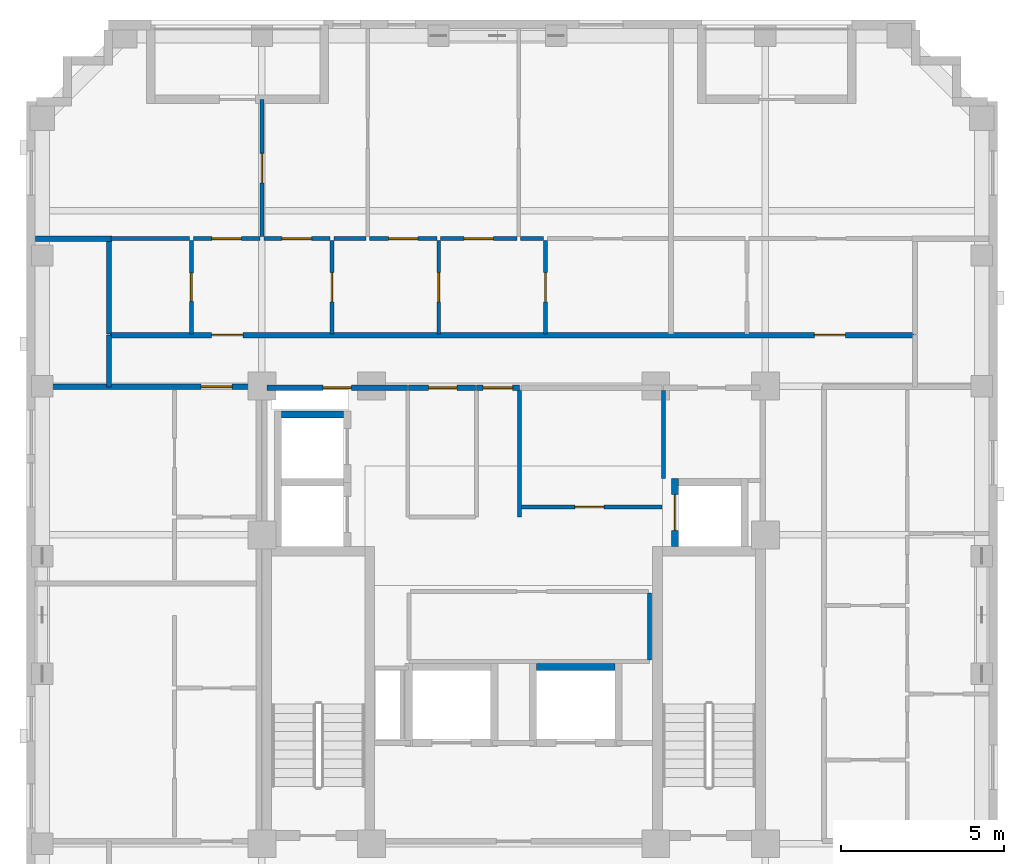
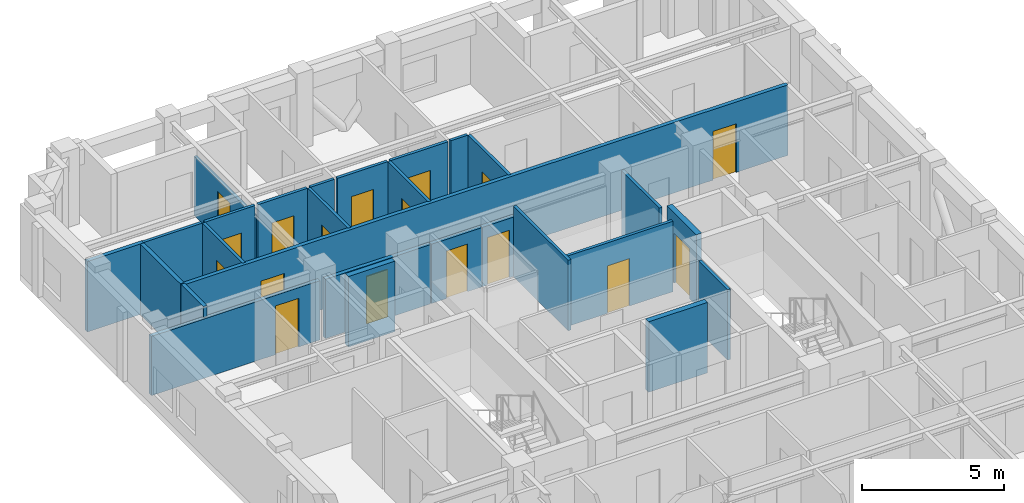
# One storey, part 5 of 10: 27 walls, 17 doors, 17 openings.
"""IFC4 building model written with IfcOpenShell, lengths in metres."""

from ifc_helpers import new_model, si_unit, derived_unit, direction, frame, frame_2d, origin, place, context, subcontext, project, spatial, rectangle, extrude, material, layer, layer_set, type_object, element, fill, save


model = new_model("IFC4")

# Units and contexts
model_context = context("Model", 3, precision=1e-05, world=origin(), true_north=direction((0.0, 1.0)))
body_context = subcontext(model_context, "Body", "Model", "MODEL_VIEW")
ifc_project = project(units=[si_unit("LENGTHUNIT", "METRE"), si_unit("AREAUNIT", "SQUARE_METRE"), si_unit("VOLUMEUNIT", "CUBIC_METRE"), si_unit("PLANEANGLEUNIT", "RADIAN"), si_unit("MASSUNIT", "GRAM", prefix="KILO"), derived_unit("THERMALTRANSMITTANCEUNIT", [(si_unit("MASSUNIT", "GRAM", prefix="KILO"), 1), (si_unit("TIMEUNIT", "SECOND"), -3), (si_unit("THERMODYNAMICTEMPERATUREUNIT", "KELVIN"), -1)])], contexts=[model_context])

# Site, building, storey
site_placement = place(None, origin())
site = spatial("IfcSite", under=ifc_project, at=site_placement, CompositionType="ELEMENT")
building_placement = place(site_placement, origin())
building = spatial("IfcBuilding", under=site, at=building_placement, Name="Korrvale Station Residences", CompositionType="ELEMENT")
storey_placement = place(building_placement, frame((0.0, 0.0, 204.10009765625)))
storey = spatial("IfcBuildingStorey", under=building, at=storey_placement, Name="L59", CompositionType="ELEMENT", Elevation=204.10009765625)

# Walls
ifc_material_1 = material(Name="Acoustic steel-stud gypsum board partition", Category="steel")
ifc_layer_1 = layer(ifc_material_1, 0.1201171875, Name="Acoustic steel-stud gypsum board partition")
ifc_layer_set_1 = layer_set([ifc_layer_1], Name="Acoustic steel-stud gypsum board partition")
wall_type_1 = type_object("IfcWallType", Name="WAL-PART-125", PredefinedType="PARTITIONING", material=ifc_layer_set_1)
wall_1_placement = place(storey_placement, frame((25.679931640625, 25.0, 0.0), z_axis=(0.0, 0.0, 1.0), x_axis=(0.0, 1.0, 0.0)))
element("IfcWall", 1, at=wall_1_placement, inside=storey, type_object=wall_type_1, Name="L59 Core Partition CW-PSG-E", PredefinedType="PARTITIONING", context=body_context, shape_type="SweptSolid", body=[
    extrude(rectangle(XDim=3.8701171875, YDim=0.1201171875, at=frame_2d((1.93505859375, 0.0))), origin(), (0.0, 0.0, 1.0), 3.039794921875),
])
wall_2_placement = place(storey_placement, frame((30.080078125, 26.179931640625, 0.0), z_axis=(0.0, 0.0, 1.0), x_axis=(0.0, 1.0, 0.0)))
element("IfcWall", 2, at=wall_2_placement, inside=storey, type_object=wall_type_1, Name="L59 Core Partition CW-CS-W", PredefinedType="PARTITIONING", context=body_context, shape_type="SweptSolid", body=[
    extrude(rectangle(XDim=2.68017578125, YDim=0.1201171875, at=frame_2d((1.340087890625, 0.0))), origin(), (0.0, 0.0, 1.0), 3.039794921875),
])

# Wall, opening, door
wall_3_placement = place(storey_placement, frame((25.719970703125, 25.300048828125, 0.0), z_axis=(0.0, 0.0, 1.0), x_axis=(1.0, 0.0, 0.0)))
wall_3 = element("IfcWall", 3, at=wall_3_placement, inside=storey, type_object=wall_type_1, Name="L59 Core Partition CW-FPLE-S", PredefinedType="PARTITIONING", context=body_context, shape_type="SweptSolid", body=[
    extrude(rectangle(XDim=4.320068359375, YDim=0.1201171875, at=frame_2d((2.16015625, 0.0))), origin(), (0.0, 0.0, 1.0), 3.039794921875),
])
opening_1_placement = place(wall_3_placement, frame((1.64990234375, 0.0, 0.0)))
opening_1 = element("IfcOpeningElement", 4, at=opening_1_placement, cuts=wall_3, Name="Opening DI-900", PredefinedType="OPENING", context=body_context, shape_type="SweptSolid", body=[
    extrude(rectangle(XDim=0.89990234375, YDim=2.050048828125, at=frame_2d((0.449951171875, 1.02490234375))), frame((0.0, 0.070068359375, 0.0), z_axis=(0.0, -1.0, 0.0), x_axis=(1.0, 0.0, 0.0)), (0.0, 0.0, 1.0), 0.14013671875),
])
ifc_material_2 = material(Name="Painted solid-core timber interior room door", Category="wood")
door_type_1 = type_object("IfcDoorType", Name="DR-INT-900", OperationType="NOTDEFINED", PredefinedType="DOOR", material=ifc_material_2)
door_1_placement = place(opening_1_placement, origin())
door_1 = element("IfcDoor", 5, at=door_1_placement, inside=storey, type_object=door_type_1, Name="L59 Housekeeping Linen Door", OperationType="SINGLE_SWING_LEFT", OverallHeight=2.050048828125, OverallWidth=0.89990234375, PredefinedType="DOOR", context=body_context, shape_type="SweptSolid", body=[
    extrude(rectangle(XDim=0.89990234375, YDim=2.050048828125, at=frame_2d((0.449951171875, 1.02490234375))), frame((0.0, 0.02490234375, 0.0), z_axis=(0.0, -1.0, 0.0), x_axis=(1.0, 0.0, 0.0)), (0.0, 0.0, 1.0), 0.050048828125),
])
fill(opening_1, door_1)

# Wall
wall_4_placement = place(storey_placement, frame((29.659912109375, 20.6201171875, 0.0), z_axis=(0.0, 0.0, 1.0), x_axis=(0.0, 1.0, 0.0)))
element("IfcWall", 6, at=wall_4_placement, inside=storey, type_object=wall_type_1, Name="L59 Core Partition CW-FPM-E", PredefinedType="PARTITIONING", context=body_context, shape_type="SweptSolid", body=[
    extrude(rectangle(XDim=2.059814453125, YDim=0.1201171875, at=frame_2d((1.02978515625, 0.0))), origin(), (0.0, 0.0, 1.0), 3.039794921875),
])

# Wall, opening, door
wall_5_placement = place(storey_placement, frame((15.639892578125, 30.60009765625, 0.0), z_axis=(0.0, 0.0, 1.0), x_axis=(0.0, 1.0, 0.0)))
wall_5 = element("IfcWall", 7, at=wall_5_placement, inside=storey, type_object=wall_type_1, Name="L59 Suite Partition U04-V01", PredefinedType="PARTITIONING", context=body_context, shape_type="SweptSolid", body=[
    extrude(rectangle(XDim=2.849853515625, YDim=0.1201171875, at=frame_2d((1.4248046875, 0.0))), origin(), (0.0, 0.0, 1.0), 3.039794921875),
])
opening_2_placement = place(wall_5_placement, frame((0.9951171875, 0.0, 0.0)))
opening_2 = element("IfcOpeningElement", 8, at=opening_2_placement, cuts=wall_5, Name="Opening DB-860", PredefinedType="OPENING", context=body_context, shape_type="SweptSolid", body=[
    extrude(rectangle(XDim=0.860107421875, YDim=2.050048828125, at=frame_2d((0.43017578125, 1.02490234375))), frame((0.0, 0.070068359375, 0.0), z_axis=(0.0, -1.0, 0.0), x_axis=(1.0, 0.0, 0.0)), (0.0, 0.0, 1.0), 0.14013671875),
])
ifc_material_3 = material(Name="Moisture-resistant solid-core bathroom door", Category="timber")
door_type_2 = type_object("IfcDoorType", Name="DR-BATH-860", OperationType="NOTDEFINED", PredefinedType="DOOR", material=ifc_material_3)
door_2_placement = place(opening_2_placement, origin())
door_2 = element("IfcDoor", 9, at=door_2_placement, inside=storey, type_object=door_type_2, Name="L59 Apartment 2BR L59-U04 Bathroom Door", OperationType="SINGLE_SWING_LEFT", OverallHeight=2.050048828125, OverallWidth=0.860107421875, PredefinedType="DOOR", context=body_context, shape_type="SweptSolid", body=[
    extrude(rectangle(XDim=0.860107421875, YDim=2.050048828125, at=frame_2d((0.43017578125, 1.02490234375))), frame((0.0, 0.02490234375, 0.0), z_axis=(0.0, -1.0, 0.0), x_axis=(1.0, 0.0, 0.0)), (0.0, 0.0, 1.0), 0.050048828125),
])
fill(opening_2, door_2)

# Wall
wall_6_placement = place(storey_placement, frame((13.179931640625, 33.510009765625, 0.0), z_axis=(0.0, 0.0, 1.0), x_axis=(1.0, 0.0, 0.0)))
element("IfcWall", 10, at=wall_6_placement, inside=storey, type_object=wall_type_1, Name="L59 Suite Partition U04-H05", PredefinedType="PARTITIONING", context=body_context, shape_type="SweptSolid", body=[
    extrude(rectangle(XDim=2.400146484375, YDim=0.1201171875, at=frame_2d((1.2001953125, 0.0))), origin(), (0.0, 0.0, 1.0), 3.039794921875),
])

# Wall, opening, door
wall_7_placement = place(storey_placement, frame((19.93994140625, 30.60009765625, 0.0), z_axis=(0.0, 0.0, 1.0), x_axis=(0.0, 1.0, 0.0)))
wall_7 = element("IfcWall", 11, at=wall_7_placement, inside=storey, type_object=wall_type_1, Name="L59 Suite Partition U04-V12", PredefinedType="PARTITIONING", context=body_context, shape_type="SweptSolid", body=[
    extrude(rectangle(XDim=2.849853515625, YDim=0.1201171875, at=frame_2d((1.4248046875, 0.0))), origin(), (0.0, 0.0, 1.0), 3.039794921875),
])
opening_3_placement = place(wall_7_placement, frame((0.97509765625, 0.0, 0.0)))
opening_3 = element("IfcOpeningElement", 12, at=opening_3_placement, cuts=wall_7, Name="Opening DI-900", PredefinedType="OPENING", context=body_context, shape_type="SweptSolid", body=[
    extrude(rectangle(XDim=0.89990234375, YDim=2.050048828125, at=frame_2d((0.449951171875, 1.02490234375))), frame((0.0, 0.070068359375, 0.0), z_axis=(0.0, -1.0, 0.0), x_axis=(1.0, 0.0, 0.0)), (0.0, 0.0, 1.0), 0.14013671875),
])
door_3_placement = place(opening_3_placement, origin())
door_3 = element("IfcDoor", 13, at=door_3_placement, inside=storey, type_object=door_type_1, Name="L59 Apartment 2BR L59-U04 Kitchen Door", OperationType="SINGLE_SWING_RIGHT", OverallHeight=2.050048828125, OverallWidth=0.89990234375, PredefinedType="DOOR", context=body_context, shape_type="SweptSolid", body=[
    extrude(rectangle(XDim=0.89990234375, YDim=2.050048828125, at=frame_2d((0.449951171875, 1.02490234375))), frame((0.0, 0.02490234375, 0.0), z_axis=(0.0, -1.0, 0.0), x_axis=(1.0, 0.0, 0.0)), (0.0, 0.0, 1.0), 0.050048828125),
])
fill(opening_3, door_3)

wall_8_placement = place(storey_placement, frame((15.699951171875, 33.510009765625, 0.0), z_axis=(0.0, 0.0, 1.0), x_axis=(1.0, 0.0, 0.0)))
wall_8 = element("IfcWall", 14, at=wall_8_placement, inside=storey, type_object=wall_type_1, Name="L59 Suite Partition U04-H15", PredefinedType="PARTITIONING", context=body_context, shape_type="SweptSolid", body=[
    extrude(rectangle(XDim=2.0400390625, YDim=0.1201171875, at=frame_2d((1.02001953125, 0.0))), origin(), (0.0, 0.0, 1.0), 3.039794921875),
])
opening_4_placement = place(wall_8_placement, frame((0.570068359375, 0.0, 0.0)))
opening_4 = element("IfcOpeningElement", 15, at=opening_4_placement, cuts=wall_8, Name="Opening DI-900", PredefinedType="OPENING", context=body_context, shape_type="SweptSolid", body=[
    extrude(rectangle(XDim=0.89990234375, YDim=2.050048828125, at=frame_2d((0.449951171875, 1.02490234375))), frame((0.0, 0.070068359375, 0.0), z_axis=(0.0, -1.0, 0.0), x_axis=(1.0, 0.0, 0.0)), (0.0, 0.0, 1.0), 0.14013671875),
])
door_4_placement = place(opening_4_placement, origin())
door_4 = element("IfcDoor", 16, at=door_4_placement, inside=storey, type_object=door_type_1, Name="L59 Apartment 2BR L59-U04 Kitchen Door", OperationType="SINGLE_SWING_LEFT", OverallHeight=2.050048828125, OverallWidth=0.89990234375, PredefinedType="DOOR", context=body_context, shape_type="SweptSolid", body=[
    extrude(rectangle(XDim=0.89990234375, YDim=2.050048828125, at=frame_2d((0.449951171875, 1.02490234375))), frame((0.0, 0.02490234375, 0.0), z_axis=(0.0, -1.0, 0.0), x_axis=(1.0, 0.0, 0.0)), (0.0, 0.0, 1.0), 0.050048828125),
])
fill(opening_4, door_4)

wall_9_placement = place(storey_placement, frame((17.860107421875, 33.510009765625, 0.0), z_axis=(0.0, 0.0, 1.0), x_axis=(1.0, 0.0, 0.0)))
wall_9 = element("IfcWall", 17, at=wall_9_placement, inside=storey, type_object=wall_type_1, Name="L59 Suite Partition U04-H16", PredefinedType="PARTITIONING", context=body_context, shape_type="SweptSolid", body=[
    extrude(rectangle(XDim=2.019775390625, YDim=0.1201171875, at=frame_2d((1.009765625, 0.0))), origin(), (0.0, 0.0, 1.0), 3.039794921875),
])
opening_5_placement = place(wall_9_placement, frame((0.56005859375, 0.0, 0.0)))
opening_5 = element("IfcOpeningElement", 18, at=opening_5_placement, cuts=wall_9, Name="Opening DI-900", PredefinedType="OPENING", context=body_context, shape_type="SweptSolid", body=[
    extrude(rectangle(XDim=0.89990234375, YDim=2.050048828125, at=frame_2d((0.449951171875, 1.02490234375))), frame((0.0, 0.070068359375, 0.0), z_axis=(0.0, -1.0, 0.0), x_axis=(1.0, 0.0, 0.0)), (0.0, 0.0, 1.0), 0.14013671875),
])
door_5_placement = place(opening_5_placement, origin())
door_5 = element("IfcDoor", 19, at=door_5_placement, inside=storey, type_object=door_type_1, Name="L59 Apartment 2BR L59-U04 Kitchen Door", OperationType="SINGLE_SWING_RIGHT", OverallHeight=2.050048828125, OverallWidth=0.89990234375, PredefinedType="DOOR", context=body_context, shape_type="SweptSolid", body=[
    extrude(rectangle(XDim=0.89990234375, YDim=2.050048828125, at=frame_2d((0.449951171875, 1.02490234375))), frame((0.0, 0.02490234375, 0.0), z_axis=(0.0, -1.0, 0.0), x_axis=(1.0, 0.0, 0.0)), (0.0, 0.0, 1.0), 0.050048828125),
])
fill(opening_5, door_5)

wall_10_placement = place(storey_placement, frame((23.2099609375, 30.60009765625, 0.0), z_axis=(0.0, 0.0, 1.0), x_axis=(0.0, 1.0, 0.0)))
wall_10 = element("IfcWall", 20, at=wall_10_placement, inside=storey, type_object=wall_type_1, Name="L59 Suite Partition U04-V23", PredefinedType="PARTITIONING", context=body_context, shape_type="SweptSolid", body=[
    extrude(rectangle(XDim=2.849853515625, YDim=0.1201171875, at=frame_2d((1.4248046875, 0.0))), origin(), (0.0, 0.0, 1.0), 3.039794921875),
])
opening_6_placement = place(wall_10_placement, frame((0.97509765625, 0.0, 0.0)))
opening_6 = element("IfcOpeningElement", 21, at=opening_6_placement, cuts=wall_10, Name="Opening DI-900", PredefinedType="OPENING", context=body_context, shape_type="SweptSolid", body=[
    extrude(rectangle(XDim=0.89990234375, YDim=2.050048828125, at=frame_2d((0.449951171875, 1.02490234375))), frame((0.0, 0.070068359375, 0.0), z_axis=(0.0, -1.0, 0.0), x_axis=(1.0, 0.0, 0.0)), (0.0, 0.0, 1.0), 0.14013671875),
])
door_6_placement = place(opening_6_placement, origin())
door_6 = element("IfcDoor", 22, at=door_6_placement, inside=storey, type_object=door_type_1, Name="L59 Apartment 2BR L59-U04 Home Study Room Door", OperationType="SINGLE_SWING_LEFT", OverallHeight=2.050048828125, OverallWidth=0.89990234375, PredefinedType="DOOR", context=body_context, shape_type="SweptSolid", body=[
    extrude(rectangle(XDim=0.89990234375, YDim=2.050048828125, at=frame_2d((0.449951171875, 1.02490234375))), frame((0.0, 0.02490234375, 0.0), z_axis=(0.0, -1.0, 0.0), x_axis=(1.0, 0.0, 0.0)), (0.0, 0.0, 1.0), 0.050048828125),
])
fill(opening_6, door_6)

# Wall
wall_11_placement = place(storey_placement, frame((20.0, 33.510009765625, 0.0), z_axis=(0.0, 0.0, 1.0), x_axis=(1.0, 0.0, 0.0)))
element("IfcWall", 23, at=wall_11_placement, inside=storey, type_object=wall_type_1, Name="L59 Suite Partition U04-H26", PredefinedType="PARTITIONING", context=body_context, shape_type="SweptSolid", body=[
    extrude(rectangle(XDim=0.97705078125, YDim=0.1201171875, at=frame_2d((0.488525390625, 0.0))), origin(), (0.0, 0.0, 1.0), 3.039794921875),
])

# Wall, opening, door
wall_12_placement = place(storey_placement, frame((21.096923828125, 33.510009765625, 0.0), z_axis=(0.0, 0.0, 1.0), x_axis=(1.0, 0.0, 0.0)))
wall_12 = element("IfcWall", 24, at=wall_12_placement, inside=storey, type_object=wall_type_1, Name="L59 Suite Partition U04-H27", PredefinedType="PARTITIONING", context=body_context, shape_type="SweptSolid", body=[
    extrude(rectangle(XDim=2.052978515625, YDim=0.1201171875, at=frame_2d((1.0263671875, 0.0))), origin(), (0.0, 0.0, 1.0), 3.039794921875),
])
opening_7_placement = place(wall_12_placement, frame((0.575927734375, 0.0, 0.0)))
opening_7 = element("IfcOpeningElement", 25, at=opening_7_placement, cuts=wall_12, Name="Opening DI-900", PredefinedType="OPENING", context=body_context, shape_type="SweptSolid", body=[
    extrude(rectangle(XDim=0.89990234375, YDim=2.050048828125, at=frame_2d((0.449951171875, 1.02490234375))), frame((0.0, 0.070068359375, 0.0), z_axis=(0.0, -1.0, 0.0), x_axis=(1.0, 0.0, 0.0)), (0.0, 0.0, 1.0), 0.14013671875),
])
door_7_placement = place(opening_7_placement, origin())
door_7 = element("IfcDoor", 26, at=door_7_placement, inside=storey, type_object=door_type_1, Name="L59 Apartment 2BR L59-U04 Home Study Room Door", OperationType="SINGLE_SWING_RIGHT", OverallHeight=2.050048828125, OverallWidth=0.89990234375, PredefinedType="DOOR", context=body_context, shape_type="SweptSolid", body=[
    extrude(rectangle(XDim=0.89990234375, YDim=2.050048828125, at=frame_2d((0.449951171875, 1.02490234375))), frame((0.0, 0.02490234375, 0.0), z_axis=(0.0, -1.0, 0.0), x_axis=(1.0, 0.0, 0.0)), (0.0, 0.0, 1.0), 0.050048828125),
])
fill(opening_7, door_7)

wall_13_placement = place(storey_placement, frame((26.47998046875, 30.60009765625, 0.0), z_axis=(0.0, 0.0, 1.0), x_axis=(0.0, 1.0, 0.0)))
wall_13 = element("IfcWall", 27, at=wall_13_placement, inside=storey, type_object=wall_type_1, Name="L59 Suite Partition U04-V34", PredefinedType="PARTITIONING", context=body_context, shape_type="SweptSolid", body=[
    extrude(rectangle(XDim=2.849853515625, YDim=0.1201171875, at=frame_2d((1.4248046875, 0.0))), origin(), (0.0, 0.0, 1.0), 3.039794921875),
])
opening_8_placement = place(wall_13_placement, frame((0.97509765625, 0.0, 0.0)))
opening_8 = element("IfcOpeningElement", 28, at=opening_8_placement, cuts=wall_13, Name="Opening DI-900", PredefinedType="OPENING", context=body_context, shape_type="SweptSolid", body=[
    extrude(rectangle(XDim=0.89990234375, YDim=2.050048828125, at=frame_2d((0.449951171875, 1.02490234375))), frame((0.0, 0.070068359375, 0.0), z_axis=(0.0, -1.0, 0.0), x_axis=(1.0, 0.0, 0.0)), (0.0, 0.0, 1.0), 0.14013671875),
])
door_8_placement = place(opening_8_placement, origin())
door_8 = element("IfcDoor", 29, at=door_8_placement, inside=storey, type_object=door_type_1, Name="L59 Apartment 2BR L59-U04 Home Study Room Door", OperationType="SINGLE_SWING_LEFT", OverallHeight=2.050048828125, OverallWidth=0.89990234375, PredefinedType="DOOR", context=body_context, shape_type="SweptSolid", body=[
    extrude(rectangle(XDim=0.89990234375, YDim=2.050048828125, at=frame_2d((0.449951171875, 1.02490234375))), frame((0.0, 0.02490234375, 0.0), z_axis=(0.0, -1.0, 0.0), x_axis=(1.0, 0.0, 0.0)), (0.0, 0.0, 1.0), 0.050048828125),
])
fill(opening_8, door_8)

wall_14_placement = place(storey_placement, frame((23.27001953125, 33.510009765625, 0.0), z_axis=(0.0, 0.0, 1.0), x_axis=(1.0, 0.0, 0.0)))
wall_14 = element("IfcWall", 30, at=wall_14_placement, inside=storey, type_object=wall_type_1, Name="L59 Suite Partition U04-H37", PredefinedType="PARTITIONING", context=body_context, shape_type="SweptSolid", body=[
    extrude(rectangle(XDim=2.326904296875, YDim=0.1201171875, at=frame_2d((1.16357421875, 0.0))), origin(), (0.0, 0.0, 1.0), 3.039794921875),
])
opening_9_placement = place(wall_14_placement, frame((0.714111328125, 0.0, 0.0)))
opening_9 = element("IfcOpeningElement", 31, at=opening_9_placement, cuts=wall_14, Name="Opening DI-900", PredefinedType="OPENING", context=body_context, shape_type="SweptSolid", body=[
    extrude(rectangle(XDim=0.89990234375, YDim=2.050048828125, at=frame_2d((0.449951171875, 1.02490234375))), frame((0.0, 0.070068359375, 0.0), z_axis=(0.0, -1.0, 0.0), x_axis=(1.0, 0.0, 0.0)), (0.0, 0.0, 1.0), 0.14013671875),
])
door_9_placement = place(opening_9_placement, origin())
door_9 = element("IfcDoor", 32, at=door_9_placement, inside=storey, type_object=door_type_1, Name="L59 Apartment 2BR L59-U04 Home Study Room Door", OperationType="SINGLE_SWING_RIGHT", OverallHeight=2.050048828125, OverallWidth=0.89990234375, PredefinedType="DOOR", context=body_context, shape_type="SweptSolid", body=[
    extrude(rectangle(XDim=0.89990234375, YDim=2.050048828125, at=frame_2d((0.449951171875, 1.02490234375))), frame((0.0, 0.02490234375, 0.0), z_axis=(0.0, -1.0, 0.0), x_axis=(1.0, 0.0, 0.0)), (0.0, 0.0, 1.0), 0.050048828125),
])
fill(opening_9, door_9)

# Wall
wall_15_placement = place(storey_placement, frame((25.717041015625, 33.510009765625, 0.0), z_axis=(0.0, 0.0, 1.0), x_axis=(1.0, 0.0, 0.0)))
element("IfcWall", 33, at=wall_15_placement, inside=storey, type_object=wall_type_1, Name="L59 Suite Partition U04-H38", PredefinedType="PARTITIONING", context=body_context, shape_type="SweptSolid", body=[
    extrude(rectangle(XDim=0.702880859375, YDim=0.1201171875, at=frame_2d((0.3515625, 0.0))), origin(), (0.0, 0.0, 1.0), 3.039794921875),
])

# Wall, opening, door
wall_16_placement = place(storey_placement, frame((17.800048828125, 33.570068359375, 0.0), z_axis=(0.0, 0.0, 1.0), x_axis=(0.0, 1.0, 0.0)))
wall_16 = element("IfcWall", 34, at=wall_16_placement, inside=storey, type_object=wall_type_1, Name="L59 Suite Partition U04-V56", PredefinedType="PARTITIONING", context=body_context, shape_type="SweptSolid", body=[
    extrude(rectangle(XDim=4.199951171875, YDim=0.1201171875, at=frame_2d((2.10009765625, 0.0))), origin(), (0.0, 0.0, 1.0), 2.555908203125),
])
opening_10_placement = place(wall_16_placement, frame((1.64990234375, 0.0, 0.0)))
opening_10 = element("IfcOpeningElement", 35, at=opening_10_placement, cuts=wall_16, Name="Opening DI-900", PredefinedType="OPENING", context=body_context, shape_type="SweptSolid", body=[
    extrude(rectangle(XDim=0.89990234375, YDim=2.050048828125, at=frame_2d((0.449951171875, 1.02490234375))), frame((0.0, 0.070068359375, 0.0), z_axis=(0.0, -1.0, 0.0), x_axis=(1.0, 0.0, 0.0)), (0.0, 0.0, 1.0), 0.14013671875),
])
door_10_placement = place(opening_10_placement, origin())
door_10 = element("IfcDoor", 36, at=door_10_placement, inside=storey, type_object=door_type_1, Name="L59 Apartment 2BR L59-U04 Living and Dining Room Door", OperationType="SINGLE_SWING_RIGHT", OverallHeight=2.050048828125, OverallWidth=0.89990234375, PredefinedType="DOOR", context=body_context, shape_type="SweptSolid", body=[
    extrude(rectangle(XDim=0.89990234375, YDim=2.050048828125, at=frame_2d((0.449951171875, 1.02490234375))), frame((0.0, 0.02490234375, 0.0), z_axis=(0.0, -1.0, 0.0), x_axis=(1.0, 0.0, 0.0)), (0.0, 0.0, 1.0), 0.050048828125),
])
fill(opening_10, door_10)

ifc_material_4 = material(Name="Fire-rated twin-stud gypsum and mineral wool shaftwall assembly", Category="gypsum")
ifc_layer_2 = layer(ifc_material_4, 0.159912109375, Name="Fire-rated twin-stud gypsum and mineral wool shaftwall assembly")
ifc_layer_set_2 = layer_set([ifc_layer_2], Name="Fire-rated twin-stud gypsum and mineral wool shaftwall assembly")
wall_type_2 = type_object("IfcWallType", Name="WAL-PART-200", PredefinedType="PARTITIONING", material=ifc_layer_set_2)
wall_17_placement = place(storey_placement, frame((24.360107421875, 28.949951171875, 0.0), z_axis=(0.0, 0.0, 1.0), x_axis=(1.0, 0.0, 0.0)))
wall_17 = element("IfcWall", 37, at=wall_17_placement, inside=storey, type_object=wall_type_2, Name="L59 Core Partition CW-LLOB-N", PredefinedType="PARTITIONING", context=body_context, shape_type="SweptSolid", body=[
    extrude(rectangle(XDim=1.31982421875, YDim=0.159912109375, at=frame_2d((0.659912109375, 0.0))), origin(), (0.0, 0.0, 1.0), 2.555908203125),
])
opening_11_placement = place(wall_17_placement, frame((0.2099609375, 0.0, 0.0)))
opening_11 = element("IfcOpeningElement", 38, at=opening_11_placement, cuts=wall_17, Name="Opening DI-900", PredefinedType="OPENING", context=body_context, shape_type="SweptSolid", body=[
    extrude(rectangle(XDim=0.89990234375, YDim=2.050048828125, at=frame_2d((0.449951171875, 1.02490234375))), frame((0.0, 0.08984375, 0.0), z_axis=(0.0, -1.0, 0.0), x_axis=(1.0, 0.0, 0.0)), (0.0, 0.0, 1.0), 0.179931640625),
])
door_11_placement = place(opening_11_placement, origin())
door_11 = element("IfcDoor", 39, at=door_11_placement, inside=storey, type_object=door_type_1, Name="L59 Central Hallway North Passage Door", OperationType="SINGLE_SWING_LEFT", OverallHeight=2.050048828125, OverallWidth=0.89990234375, PredefinedType="DOOR", context=body_context, shape_type="SweptSolid", body=[
    extrude(rectangle(XDim=0.89990234375, YDim=2.050048828125, at=frame_2d((0.449951171875, 1.02490234375))), frame((0.0, 0.02490234375, 0.0), z_axis=(0.0, -1.0, 0.0), x_axis=(1.0, 0.0, 0.0)), (0.0, 0.0, 1.0), 0.050048828125),
])
fill(opening_11, door_11)

wall_18_placement = place(storey_placement, frame((17.9599609375, 28.949951171875, 0.0), z_axis=(0.0, 0.0, 1.0), x_axis=(1.0, 0.0, 0.0)))
wall_18 = element("IfcWall", 40, at=wall_18_placement, inside=storey, type_object=wall_type_2, Name="L59 Core Partition CW-NW", PredefinedType="PARTITIONING", context=body_context, shape_type="SweptSolid", body=[
    extrude(rectangle(XDim=4.2900390625, YDim=0.159912109375, at=frame_2d((2.14501953125, 0.0))), origin(), (0.0, 0.0, 1.0), 2.555908203125),
])
opening_12_placement = place(wall_18_placement, frame((1.715087890625, 0.0, 0.0)))
opening_12 = element("IfcOpeningElement", 41, at=opening_12_placement, cuts=wall_18, Name="Opening DB-860", PredefinedType="OPENING", context=body_context, shape_type="SweptSolid", body=[
    extrude(rectangle(XDim=0.860107421875, YDim=2.050048828125, at=frame_2d((0.43017578125, 1.02490234375))), frame((0.0, 0.08984375, 0.0), z_axis=(0.0, -1.0, 0.0), x_axis=(1.0, 0.0, 0.0)), (0.0, 0.0, 1.0), 0.179931640625),
])
door_12_placement = place(opening_12_placement, origin())
door_12 = element("IfcDoor", 42, at=door_12_placement, inside=storey, type_object=door_type_2, Name="L59 Electrical Riser Access Door", OperationType="SINGLE_SWING_RIGHT", OverallHeight=2.050048828125, OverallWidth=0.860107421875, PredefinedType="DOOR", context=body_context, shape_type="SweptSolid", body=[
    extrude(rectangle(XDim=0.860107421875, YDim=2.050048828125, at=frame_2d((0.43017578125, 1.02490234375))), frame((0.0, 0.02490234375, 0.0), z_axis=(0.0, -1.0, 0.0), x_axis=(1.0, 0.0, 0.0)), (0.0, 0.0, 1.0), 0.050048828125),
])
fill(opening_12, door_12)

wall_19_placement = place(storey_placement, frame((22.280029296875, 28.949951171875, 0.0), z_axis=(0.0, 0.0, 1.0), x_axis=(1.0, 0.0, 0.0)))
wall_19 = element("IfcWall", 43, at=wall_19_placement, inside=storey, type_object=wall_type_2, Name="L59 Core Partition CW-FPLW-N", PredefinedType="PARTITIONING", context=body_context, shape_type="SweptSolid", body=[
    extrude(rectangle(XDim=2.06005859375, YDim=0.159912109375, at=frame_2d((1.030029296875, 0.0))), origin(), (0.0, 0.0, 1.0), 2.555908203125),
])
opening_13_placement = place(wall_19_placement, frame((0.6201171875, 0.0, 0.0)))
opening_13 = element("IfcOpeningElement", 44, at=opening_13_placement, cuts=wall_19, Name="Opening DB-860", PredefinedType="OPENING", context=body_context, shape_type="SweptSolid", body=[
    extrude(rectangle(XDim=0.860107421875, YDim=2.050048828125, at=frame_2d((0.43017578125, 1.02490234375))), frame((0.0, 0.08984375, 0.0), z_axis=(0.0, -1.0, 0.0), x_axis=(1.0, 0.0, 0.0)), (0.0, 0.0, 1.0), 0.179931640625),
])
door_13_placement = place(opening_13_placement, origin())
door_13 = element("IfcDoor", 45, at=door_13_placement, inside=storey, type_object=door_type_2, Name="L59 Resident Parcel Room Door", OperationType="SINGLE_SWING_RIGHT", OverallHeight=2.050048828125, OverallWidth=0.860107421875, PredefinedType="DOOR", context=body_context, shape_type="SweptSolid", body=[
    extrude(rectangle(XDim=0.860107421875, YDim=2.050048828125, at=frame_2d((0.43017578125, 1.02490234375))), frame((0.0, 0.02490234375, 0.0), z_axis=(0.0, -1.0, 0.0), x_axis=(1.0, 0.0, 0.0)), (0.0, 0.0, 1.0), 0.050048828125),
])
fill(opening_13, door_13)

# Walls
wall_20_placement = place(storey_placement, frame((13.1201171875, 28.97998046875, 0.0), z_axis=(0.0, 0.0, 1.0), x_axis=(0.0, 1.0, 0.0)))
element("IfcWall", 46, at=wall_20_placement, inside=storey, type_object=wall_type_2, Name="L59 Corridor North West Cap", PredefinedType="PARTITIONING", context=body_context, shape_type="SweptSolid", body=[
    extrude(rectangle(XDim=1.580078125, YDim=0.159912109375, at=frame_2d((0.7900390625, 0.0))), origin(), (0.0, 0.0, 1.0), 3.039794921875),
])
wall_21_placement = place(storey_placement, frame((10.8798828125, 33.510009765625, 0.0), z_axis=(0.0, 0.0, 1.0), x_axis=(1.0, 0.0, 0.0)))
element("IfcWall", 47, at=wall_21_placement, inside=storey, type_object=wall_type_2, Name="L59 Corner Step Wall U04-L", PredefinedType="PARTITIONING", context=body_context, shape_type="SweptSolid", body=[
    extrude(rectangle(XDim=2.340087890625, YDim=0.159912109375, at=frame_2d((1.169921875, 0.0))), origin(), (0.0, 0.0, 1.0), 3.039794921875),
])
wall_22_placement = place(storey_placement, frame((13.1201171875, 30.60009765625, 0.0), z_axis=(0.0, 0.0, 1.0), x_axis=(0.0, 1.0, 0.0)))
element("IfcWall", 48, at=wall_22_placement, inside=storey, type_object=wall_type_2, Name="L59 Corner Step Cheek U04-L", PredefinedType="PARTITIONING", context=body_context, shape_type="SweptSolid", body=[
    extrude(rectangle(XDim=2.909912109375, YDim=0.159912109375, at=frame_2d((1.455078125, 0.0))), origin(), (0.0, 0.0, 1.0), 3.039794921875),
])

# Wall, opening, door
wall_23_placement = place(storey_placement, frame((10.8798828125, 28.97998046875, 0.0), z_axis=(0.0, 0.0, 1.0), x_axis=(1.0, 0.0, 0.0)))
wall_23 = element("IfcWall", 49, at=wall_23_placement, inside=storey, type_object=wall_type_2, Name="L59 Side Suite North Entry Wall U07", PredefinedType="PARTITIONING", context=body_context, shape_type="SweptSolid", body=[
    extrude(rectangle(XDim=6.880126953125, YDim=0.159912109375, at=frame_2d((3.43994140625, 0.0))), origin(), (0.0, 0.0, 1.0), 2.555908203125),
])
opening_14_placement = place(wall_23_placement, frame((5.06005859375, 0.0, 0.0)))
opening_14 = element("IfcOpeningElement", 50, at=opening_14_placement, cuts=wall_23, Name="Opening UD-950", PredefinedType="OPENING", context=body_context, shape_type="SweptSolid", body=[
    extrude(rectangle(XDim=0.949951171875, YDim=2.10009765625, at=frame_2d((0.47509765625, 1.050048828125))), frame((0.0, 0.08984375, 0.0), z_axis=(0.0, -1.0, 0.0), x_axis=(1.0, 0.0, 0.0)), (0.0, 0.0, 1.0), 0.179931640625),
])
ifc_material_5 = material(Name="Solid-core acoustic oak apartment entrance door", Category="timber")
door_type_3 = type_object("IfcDoorType", Name="DR-UNIT-950", OperationType="NOTDEFINED", PredefinedType="DOOR", material=ifc_material_5)
door_14_placement = place(opening_14_placement, origin())
door_14 = element("IfcDoor", 51, at=door_14_placement, inside=storey, type_object=door_type_3, Name="L59 Apartment L59-U07 Entrance Door", OperationType="SINGLE_SWING_RIGHT", OverallHeight=2.10009765625, OverallWidth=0.949951171875, PredefinedType="DOOR", context=body_context, shape_type="SweptSolid", body=[
    extrude(rectangle(XDim=0.949951171875, YDim=2.10009765625, at=frame_2d((0.47509765625, 1.050048828125))), frame((0.0, 0.02490234375, 0.0), z_axis=(0.0, -1.0, 0.0), x_axis=(1.0, 0.0, 0.0)), (0.0, 0.0, 1.0), 0.050048828125),
])
fill(opening_14, door_14)

# Wall, openings, doors
wall_24_placement = place(storey_placement, frame((13.14990234375, 30.56005859375, 0.0), z_axis=(0.0, 0.0, 1.0), x_axis=(1.0, 0.0, 0.0)))
wall_24 = element("IfcWall", 52, at=wall_24_placement, inside=storey, type_object=wall_type_2, Name="L59 Rated Corridor Wall N", PredefinedType="PARTITIONING", context=body_context, shape_type="SweptSolid", body=[
    extrude(rectangle(XDim=24.60009765625, YDim=0.159912109375, at=frame_2d((12.300048828125, 0.0))), origin(), (0.0, 0.0, 1.0), 3.039794921875),
])
opening_15_placement = place(wall_24_placement, frame((3.114990234375, 0.0, 0.0)))
opening_15 = element("IfcOpeningElement", 53, at=opening_15_placement, cuts=wall_24, Name="Opening UD-950", PredefinedType="OPENING", context=body_context, shape_type="SweptSolid", body=[
    extrude(rectangle(XDim=0.949951171875, YDim=2.10009765625, at=frame_2d((0.47509765625, 1.050048828125))), frame((0.0, 0.08984375, 0.0), z_axis=(0.0, -1.0, 0.0), x_axis=(1.0, 0.0, 0.0)), (0.0, 0.0, 1.0), 0.179931640625),
])
opening_16_placement = place(wall_24_placement, frame((21.550048828125, 0.0, 0.0)))
opening_16 = element("IfcOpeningElement", 54, at=opening_16_placement, cuts=wall_24, Name="Opening UD-950", PredefinedType="OPENING", context=body_context, shape_type="SweptSolid", body=[
    extrude(rectangle(XDim=0.949951171875, YDim=2.10009765625, at=frame_2d((0.47509765625, 1.050048828125))), frame((0.0, 0.08984375, 0.0), z_axis=(0.0, -1.0, 0.0), x_axis=(1.0, 0.0, 0.0)), (0.0, 0.0, 1.0), 0.179931640625),
])
door_15_placement = place(opening_15_placement, origin())
door_15 = element("IfcDoor", 55, at=door_15_placement, inside=storey, type_object=door_type_3, Name="L59 Apartment L59-U04 Entrance Door", OperationType="SINGLE_SWING_RIGHT", OverallHeight=2.10009765625, OverallWidth=0.949951171875, PredefinedType="DOOR", context=body_context, shape_type="SweptSolid", body=[
    extrude(rectangle(XDim=0.949951171875, YDim=2.10009765625, at=frame_2d((0.47509765625, 1.050048828125))), frame((0.0, 0.02490234375, 0.0), z_axis=(0.0, -1.0, 0.0), x_axis=(1.0, 0.0, 0.0)), (0.0, 0.0, 1.0), 0.050048828125),
])
fill(opening_15, door_15)
door_16_placement = place(opening_16_placement, origin())
door_16 = element("IfcDoor", 56, at=door_16_placement, inside=storey, type_object=door_type_3, Name="L59 Apartment L59-U05 Entrance Door", OperationType="SINGLE_SWING_LEFT", OverallHeight=2.10009765625, OverallWidth=0.949951171875, PredefinedType="DOOR", context=body_context, shape_type="SweptSolid", body=[
    extrude(rectangle(XDim=0.949951171875, YDim=2.10009765625, at=frame_2d((0.47509765625, 1.050048828125))), frame((0.0, 0.02490234375, 0.0), z_axis=(0.0, -1.0, 0.0), x_axis=(1.0, 0.0, 0.0)), (0.0, 0.0, 1.0), 0.050048828125),
])
fill(opening_16, door_16)

# Wall
ifc_material_6 = material(Name="Concrete C50/60", Category="concrete")
ifc_layer_3 = layer(ifc_material_6, 0.219970703125, Name="Concrete C50/60")
ifc_layer_set_3 = layer_set([ifc_layer_3], Name="Concrete C50/60")
wall_type_3 = type_object("IfcWallType", Name="WAL-SHAFT-220-C50", PredefinedType="SHEAR", material=ifc_layer_set_3)
wall_25_placement = place(storey_placement, frame((18.39990234375, 28.1298828125, 0.0), z_axis=(0.0, 0.0, 1.0), x_axis=(1.0, 0.0, 0.0)))
element("IfcWall", 57, at=wall_25_placement, inside=storey, type_object=wall_type_3, Name="L59 Elevator PH-2 Hoistway Wall North", PredefinedType="SHEAR", context=body_context, shape_type="SweptSolid", body=[
    extrude(rectangle(XDim=1.900146484375, YDim=0.219970703125, at=frame_2d((0.9501953125, 0.0))), origin(), (0.0, 0.0, 1.0), 3.039794921875),
])

# Wall, opening, door
wall_26_placement = place(storey_placement, frame((30.43994140625, 24.10009765625, 0.0), z_axis=(0.0, 0.0, 1.0), x_axis=(0.0, 1.0, 0.0)))
wall_26 = element("IfcWall", 58, at=wall_26_placement, inside=storey, type_object=wall_type_3, Name="L59 Elevator PH-3 Hoistway Wall West", PredefinedType="SHEAR", context=body_context, shape_type="SweptSolid", body=[
    extrude(rectangle(XDim=2.06982421875, YDim=0.219970703125, at=frame_2d((1.034912109375, 0.0))), origin(), (0.0, 0.0, 1.0), 3.039794921875),
])
opening_17_placement = place(wall_26_placement, frame((0.485107421875, 0.0, 0.0)))
opening_17 = element("IfcOpeningElement", 59, at=opening_17_placement, cuts=wall_26, Name="Opening LD-1100", PredefinedType="OPENING", context=body_context, shape_type="SweptSolid", body=[
    extrude(rectangle(XDim=1.10009765625, YDim=2.14990234375, at=frame_2d((0.550048828125, 1.074951171875))), frame((0.0, 0.1201171875, 0.0), z_axis=(0.0, -1.0, 0.0), x_axis=(1.0, 0.0, 0.0)), (0.0, 0.0, 1.0), 0.239990234375),
])
ifc_material_7 = material(Name="Brushed stainless-steel elevator landing sliding door", Category="steel")
door_type_4 = type_object("IfcDoorType", Name="DR-LIFT-1100", OperationType="SLIDING_TO_LEFT", PredefinedType="DOOR", material=ifc_material_7)
door_17_placement = place(opening_17_placement, origin())
door_17 = element("IfcDoor", 60, at=door_17_placement, inside=storey, type_object=door_type_4, Name="L59 Elevator PH-3 Sliding Landing Door", OperationType="SLIDING_TO_LEFT", OverallHeight=2.14990234375, OverallWidth=1.10009765625, PredefinedType="DOOR", context=body_context, shape_type="SweptSolid", body=[
    extrude(rectangle(XDim=1.10009765625, YDim=2.14990234375, at=frame_2d((0.550048828125, 1.074951171875))), frame((0.0, 0.02490234375, 0.0), z_axis=(0.0, -1.0, 0.0), x_axis=(1.0, 0.0, 0.0)), (0.0, 0.0, 1.0), 0.050048828125),
])
fill(opening_17, door_17)

# Wall
wall_27_placement = place(storey_placement, frame((26.199951171875, 20.409912109375, 0.0), z_axis=(0.0, 0.0, 1.0), x_axis=(1.0, 0.0, 0.0)))
element("IfcWall", 61, at=wall_27_placement, inside=storey, type_object=wall_type_3, Name="L59 Elevator FFL-2 Hoistway Wall North", PredefinedType="SHEAR", context=body_context, shape_type="SweptSolid", body=[
    extrude(rectangle(XDim=2.400146484375, YDim=0.219970703125, at=frame_2d((1.2001953125, 0.0))), origin(), (0.0, 0.0, 1.0), 3.039794921875),
])

save(model, "model.ifc")
